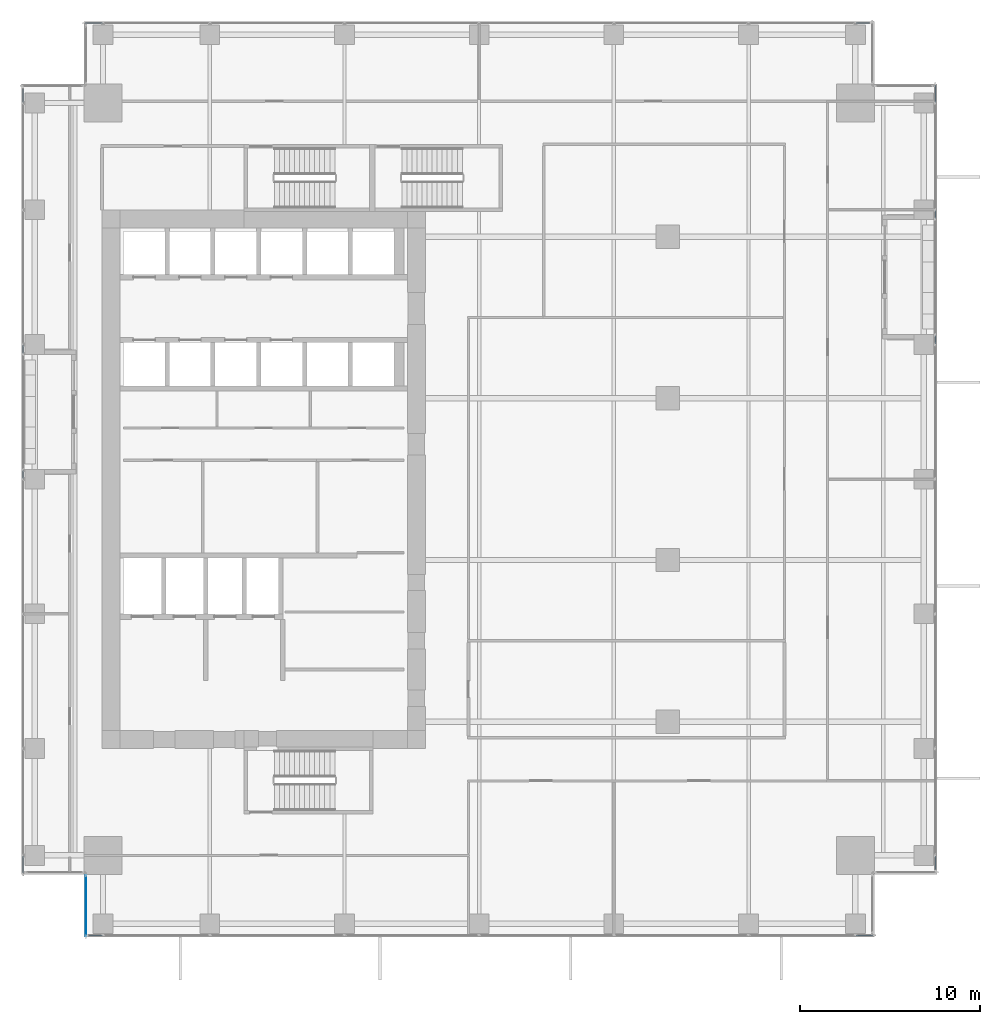
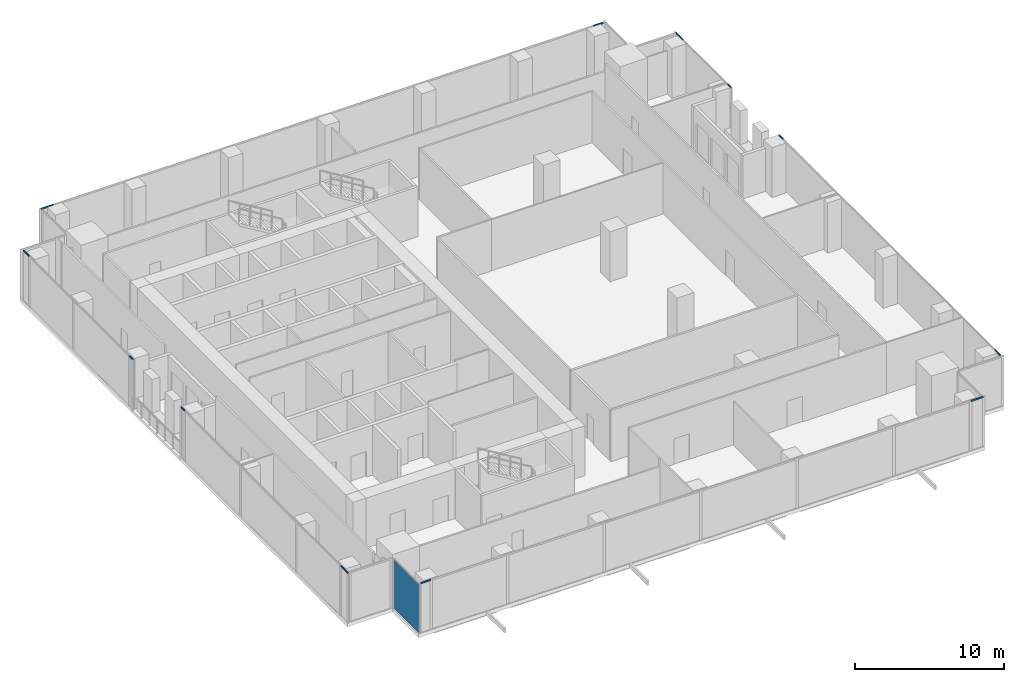
# One storey, part 23 of 35: 12 members, 1 plate, 7 elements without a shape of their own.
"""IFC4 building model written with IfcOpenShell, lengths in metres."""

import ifcopenshell
import ifcopenshell.guid

model = None  # the IFC model being written
_history = None  # IfcOwnerHistory: only IFC2X3 demands one
_inside = {}  # id of a spatial element -> (the spatial element, [elements in it])
_under = {}  # id of a project, library or spatial element -> (it, [spatial elements below it])
_declared = {}  # id of a project -> (the project, [libraries it declares])
_typed = {}  # id of a type object -> (the type object, [elements of that type])
_made_of = {}  # id of a material, layer set ... -> (it, [elements and type objects made of it])


def new_model(schema):
    """Start an empty IFC model of exactly this schema.

    Asked for "IFC4X3", IfcOpenShell would pick the latest addendum, in which some entities
    have other attributes; the version numbers below select the first issue.
    IFC2X3 requires an IfcOwnerHistory on every rooted entity: one is made here for all.
    """
    global model, _history
    if schema == "IFC4X3":
        model = ifcopenshell.file(schema_version=(4, 3, 0, 0))
    else:
        model = ifcopenshell.file(schema=schema)
    _inside.clear()
    _under.clear()
    _declared.clear()
    _typed.clear()
    _made_of.clear()
    _history = None
    if model.schema == "IFC2X3":
        org = make("IfcOrganization", Name="unknown")
        user = make(
            "IfcPersonAndOrganization",
            ThePerson=make("IfcPerson", FamilyName="unknown"),
            TheOrganization=org,
        )
        app = make(
            "IfcApplication",
            ApplicationDeveloper=org,
            Version="unknown",
            ApplicationFullName="unknown",
            ApplicationIdentifier="unknown",
        )
        _history = make(
            "IfcOwnerHistory",
            OwningUser=user,
            OwningApplication=app,
            ChangeAction="ADDED",
            CreationDate=0,
        )
    return model


def make(cls, **values):
    """One entity of the class cls with the attributes given. An attribute that is None is left unset."""
    return model.create_entity(
        cls, **{name: value for name, value in values.items() if value is not None}
    )


def rooted(cls, **values):
    """An entity with a GlobalId (a new one), such as an element, a storey or a relation."""
    return make(cls, GlobalId=ifcopenshell.guid.new(), OwnerHistory=_history, **values)


def si_unit(unit_type, name, prefix=None):
    """IfcSIUnit, for example si_unit("LENGTHUNIT", "METRE", prefix="MILLI")."""
    return make("IfcSIUnit", UnitType=unit_type, Prefix=prefix, Name=name)


def assignment(units):
    """IfcUnitAssignment: the units of a project."""
    return None if units is None else make("IfcUnitAssignment", Units=units)


def point(xyz):
    """IfcCartesianPoint."""
    return None if xyz is None else make("IfcCartesianPoint", Coordinates=xyz)


def direction(xyz):
    """IfcDirection."""
    return None if xyz is None else make("IfcDirection", DirectionRatios=xyz)


def frame(location, z_axis=None, x_axis=None):
    """IfcAxis2Placement3D, a coordinate frame: its origin and axes. An axis left out is left unset."""
    return make(
        "IfcAxis2Placement3D",
        Location=point(location),
        Axis=direction(z_axis),
        RefDirection=direction(x_axis),
    )


def frame_2d(location, x_axis=None):
    """IfcAxis2Placement2D, a coordinate frame in the plane: its origin and x axis."""
    return make(
        "IfcAxis2Placement2D", Location=point(location), RefDirection=direction(x_axis)
    )


def origin():
    """The frame at (0, 0, 0) with its axes left unset."""
    return frame((0.0, 0.0, 0.0))


def origin_2d():
    """The frame at (0, 0) in the plane with its x axis left unset."""
    return frame_2d((0.0, 0.0))


def place(relative_to, where):
    """IfcLocalPlacement: puts the frame where relative to a parent placement (None: the world)."""
    return make(
        "IfcLocalPlacement", PlacementRelTo=relative_to, RelativePlacement=where
    )


def context(
    kind, dimensions, precision=None, world=None, true_north=None, identifier=None
):
    """IfcGeometricRepresentationContext, for example the 3D "Model" context."""
    return make(
        "IfcGeometricRepresentationContext",
        ContextIdentifier=identifier,
        ContextType=kind,
        CoordinateSpaceDimension=dimensions,
        Precision=precision,
        WorldCoordinateSystem=world,
        TrueNorth=true_north,
    )


def subcontext(parent, identifier, kind, view, scale=None):
    """IfcGeometricRepresentationSubContext, for example "Body" below "Model"."""
    return make(
        "IfcGeometricRepresentationSubContext",
        ContextIdentifier=identifier,
        ContextType=kind,
        ParentContext=parent,
        TargetScale=scale,
        TargetView=view,
    )


def project(units=None, contexts=None):
    """IfcProject with its units and contexts."""
    return rooted(
        "IfcProject",
        Name="project",
        RepresentationContexts=contexts,
        UnitsInContext=assignment(units),
    )


def spatial(cls, under=None, at=None, **own):
    """A site, building, storey or space (cls), placed at a placement, below another one or the project."""
    s = rooted(cls, ObjectPlacement=at, **own)
    if under is not None:
        _under.setdefault(under.id(), (under, []))[1].append(s)
    return s


def profile(cls, at=None, kind="AREA", **sizes):
    """A parametric profile (cls). Its sizes go by their IFC names, for example OverallWidth=200.0."""
    return make(cls, ProfileType=kind, Position=at, **sizes)


def rectangle(**sizes):
    """IfcRectangleProfileDef."""
    return profile("IfcRectangleProfileDef", **sizes)


def hollow_rectangle(**sizes):
    """IfcRectangleHollowProfileDef."""
    return profile("IfcRectangleHollowProfileDef", **sizes)


def extrude(swept, where, along, depth):
    """IfcExtrudedAreaSolid: the profile swept, set in the frame where, extruded along a direction by depth."""
    return make(
        "IfcExtrudedAreaSolid",
        SweptArea=swept,
        Position=where,
        ExtrudedDirection=direction(along),
        Depth=depth,
    )


def shape(context_of_items, identifier, shape_type, items):
    """IfcShapeRepresentation: the items that make up one representation, for example the "Body"."""
    return make(
        "IfcShapeRepresentation",
        ContextOfItems=context_of_items,
        RepresentationIdentifier=identifier,
        RepresentationType=shape_type,
        Items=items,
    )


def source(mapping_origin, context_of_items, identifier, shape_type, items):
    """IfcRepresentationMap: a shape defined once, which mapped items show again and again."""
    return make(
        "IfcRepresentationMap",
        MappingOrigin=mapping_origin,
        MappedRepresentation=shape(context_of_items, identifier, shape_type, items),
    )


def transform(
    local_origin,
    x_axis=None,
    y_axis=None,
    z_axis=None,
    scale=None,
    scale2=None,
    scale3=None,
    uniform=True,
):
    """IfcCartesianTransformationOperator3D, or its non-uniform kind. x_axis, y_axis, z_axis: its Axis1, 2, 3."""
    if uniform:
        return make(
            "IfcCartesianTransformationOperator3D",
            Axis1=direction(x_axis),
            Axis2=direction(y_axis),
            LocalOrigin=point(local_origin),
            Scale=scale,
            Axis3=direction(z_axis),
        )
    return make(
        "IfcCartesianTransformationOperator3DnonUniform",
        Axis1=direction(x_axis),
        Axis2=direction(y_axis),
        LocalOrigin=point(local_origin),
        Scale=scale,
        Axis3=direction(z_axis),
        Scale2=scale2,
        Scale3=scale3,
    )


def mapped(mapping_source, mapping_target):
    """IfcMappedItem: shows the shape of a source again, moved by a transform."""
    return make(
        "IfcMappedItem", MappingSource=mapping_source, MappingTarget=mapping_target
    )


def material(Name=None, Category=None):
    """IfcMaterial."""
    return make("IfcMaterial", Name=Name, Category=Category)


def layer(
    of_material, thickness, ventilated=None, Name=None, Category=None, Priority=None
):
    """IfcMaterialLayer: one layer of a wall or slab, of a material (None: an air gap)."""
    return make(
        "IfcMaterialLayer",
        Material=of_material,
        LayerThickness=thickness,
        IsVentilated=ventilated,
        Name=Name,
        Category=Category,
        Priority=Priority,
    )


def layer_set(layers, Name=None):
    """IfcMaterialLayerSet."""
    return make("IfcMaterialLayerSet", MaterialLayers=layers, LayerSetName=Name)


def material_profile(
    of_material, cross_section, Name=None, Category=None, Priority=None
):
    """IfcMaterialProfile: a cross section and its material."""
    return make(
        "IfcMaterialProfile",
        Name=Name,
        Material=of_material,
        Profile=cross_section,
        Priority=Priority,
        Category=Category,
    )


def profile_set(profiles, Name=None, composite=None):
    """IfcMaterialProfileSet."""
    return make(
        "IfcMaterialProfileSet",
        Name=Name,
        MaterialProfiles=profiles,
        CompositeProfile=composite,
    )


def made_of(thing, what):
    """Note that an element or type object is made of a material, layer set ...; save() writes the relation."""
    if what is not None:
        _made_of.setdefault(what.id(), (what, []))[1].append(thing)
    return thing


def type_object(cls, material=None, **own):
    """A type object (cls), such as IfcWallType, which elements share."""
    return made_of(rooted(cls, **own), material)


def element(
    cls,
    number,
    at=None,
    inside=None,
    cuts=None,
    type_object=None,
    material=None,
    context=None,
    identifier="Body",
    shape_type=None,
    held_by="IfcProductDefinitionShape",
    body=None,
    shapes=None,
    **own,
):
    """One element of the class cls, such as IfcWall. Its Tag is "e" and its number.

    at: its placement. inside: the storey or other place that contains it. cuts: it is an
    opening in that element (IfcRelVoidsElement). A single representation is given by context,
    identifier, shape_type and body (its items); several are given by shapes. held_by: the class
    of the entity that holds the representations. save() writes the other relations.
    """
    e = rooted(cls, Tag="e%d" % number, ObjectPlacement=at, **own)
    if body is not None:
        shapes = [shape(context, identifier, shape_type, body)]
    if shapes is not None:
        e.Representation = make(held_by, Representations=shapes)
    if inside is not None:
        _inside.setdefault(inside.id(), (inside, []))[1].append(e)
    if cuts is not None:
        rooted(
            "IfcRelVoidsElement", RelatingBuildingElement=cuts, RelatedOpeningElement=e
        )
    if type_object is not None:
        _typed.setdefault(type_object.id(), (type_object, []))[1].append(e)
    return made_of(e, material)


def aggregate(whole, parts):
    """IfcRelAggregates: a whole, such as a stair, and the parts it consists of."""
    return rooted("IfcRelAggregates", RelatingObject=whole, RelatedObjects=parts)


def save(model, path):
    """Write the relations noted so far, then the file.

    IfcRelAggregates (storeys below a building ...), IfcRelContainedInSpatialStructure (elements
    in a storey), IfcRelDefinesByType, IfcRelAssociatesMaterial and IfcRelDeclares: one each for
    every whole, place, type object, material and project.
    """
    for whole, parts in _under.values():
        aggregate(whole, parts)
    for where, things in _inside.values():
        rooted(
            "IfcRelContainedInSpatialStructure",
            RelatedElements=things,
            RelatingStructure=where,
        )
    for kind, things in _typed.values():
        rooted("IfcRelDefinesByType", RelatedObjects=things, RelatingType=kind)
    for what, things in _made_of.values():
        rooted("IfcRelAssociatesMaterial", RelatedObjects=things, RelatingMaterial=what)
    for by, libraries in _declared.values():
        rooted("IfcRelDeclares", RelatingContext=by, RelatedDefinitions=libraries)
    model.write(path)


model = new_model("IFC4")

# Units and contexts
model_context = context("Model", 3, precision=1e-05, world=origin(), true_north=direction((0.0, 1.0)))
body_context = subcontext(model_context, "Body", "Model", "MODEL_VIEW")
ifc_project = project(units=[si_unit("LENGTHUNIT", "METRE"), si_unit("AREAUNIT", "SQUARE_METRE"), si_unit("VOLUMEUNIT", "CUBIC_METRE"), si_unit("PLANEANGLEUNIT", "RADIAN"), si_unit("MASSUNIT", "GRAM", prefix="KILO")], contexts=[model_context])

# Site, building, storey
site_placement = place(None, origin())
site = spatial("IfcSite", under=ifc_project, at=site_placement, CompositionType="ELEMENT")
building_placement = place(site_placement, origin())
building = spatial("IfcBuilding", under=site, at=building_placement, Name="Khomas Fold Tower", CompositionType="ELEMENT")
storey_placement = place(building_placement, frame((0.0, 0.0, 132.300048828125)))
storey = spatial("IfcBuildingStorey", under=building, at=storey_placement, Name="L28", CompositionType="ELEMENT", Elevation=132.300048828125)

# Curtain wall, member
ifc_material_1 = material(Name="Aluminium framed double glazing", Category="aluminium")
curtain_wall_type = type_object("IfcCurtainWallType", Name="SK-Unitised clear-glass wall, growing floors CW1", PredefinedType="NOTDEFINED", material=ifc_material_1)
curtain_wall_1_placement = place(storey_placement, origin())
curtain_wall_1 = element("IfcCurtainWall", 1, at=curtain_wall_1_placement, inside=storey, type_object=curtain_wall_type, Name="CW1 run L28 00-0", PredefinedType="NOTDEFINED")
ifc_material_2 = material(Name="Aluminium", Category="aluminium")
ifc_material_profile = material_profile(ifc_material_2, hollow_rectangle(XDim=0.06005859375, YDim=0.1201171875, WallThickness=0.00390625, at=origin_2d()), Name="SK-Unitised clear-glass wall, growing floors transom CW1-T")
ifc_profile_set = profile_set([ifc_material_profile], Name="Aluminium")
member_type = type_object("IfcMemberType", Name="SK-Unitised clear-glass wall, growing floors transom CW1-T", PredefinedType="USERDEFINED", material=ifc_profile_set)
shared_shape_1 = source(origin(), body_context, "Body", "SweptSolid", [
    extrude(hollow_rectangle(XDim=0.06005859375, YDim=0.1201171875, WallThickness=0.00390625, at=origin_2d()), origin(), (0.0, 0.0, 1.0), 0.760009765625),
])
member_1_placement = place(storey_placement, frame((5.260009765625, 1.60009765625, 4.0400390625), z_axis=(1.0, 0.0, 0.0), x_axis=(0.0, 1.0, 0.0)))
member_1 = element("IfcMember", 2, at=member_1_placement, type_object=member_type, Name="CW1 transom 1", ObjectType="TRANSOM", PredefinedType="USERDEFINED", context=body_context, shape_type="MappedRepresentation", body=[
    mapped(shared_shape_1, transform((0.0, 0.0, 0.0))),
])

curtain_wall_2_placement = place(storey_placement, origin())
curtain_wall_2 = element("IfcCurtainWall", 3, at=curtain_wall_2_placement, inside=storey, type_object=curtain_wall_type, Name="CW1 run L28 03-0", PredefinedType="NOTDEFINED")
member_2_placement = place(storey_placement, frame((52.39990234375, 5.260009765625, 4.0400390625), z_axis=(0.0, 1.0, 0.0), x_axis=(-1.0, 0.0, 0.0)))
member_2 = element("IfcMember", 4, at=member_2_placement, type_object=member_type, Name="CW1 transom 1", ObjectType="TRANSOM", PredefinedType="USERDEFINED", context=body_context, shape_type="MappedRepresentation", body=[
    mapped(shared_shape_1, transform((0.0, 0.0, 0.0))),
])

curtain_wall_3_placement = place(storey_placement, origin())
curtain_wall_3 = element("IfcCurtainWall", 5, at=curtain_wall_3_placement, inside=storey, type_object=curtain_wall_type, Name="CW1 run L28 06-0", PredefinedType="NOTDEFINED")
member_3_placement = place(storey_placement, frame((48.739990234375, 52.39990234375, 4.0400390625), z_axis=(-1.0, 0.0, 0.0), x_axis=(0.0, -1.0, 0.0)))
member_3 = element("IfcMember", 6, at=member_3_placement, type_object=member_type, Name="CW1 transom 1", ObjectType="TRANSOM", PredefinedType="USERDEFINED", context=body_context, shape_type="MappedRepresentation", body=[
    mapped(shared_shape_1, transform((0.0, 0.0, 0.0))),
])

curtain_wall_4_placement = place(storey_placement, origin())
curtain_wall_4 = element("IfcCurtainWall", 7, at=curtain_wall_4_placement, inside=storey, type_object=curtain_wall_type, Name="CW1 run L28 09-0", PredefinedType="NOTDEFINED")
member_4_placement = place(storey_placement, frame((1.60009765625, 48.739990234375, 4.0400390625), z_axis=(0.0, -1.0, 0.0), x_axis=(1.0, 0.0, 0.0)))
member_4 = element("IfcMember", 8, at=member_4_placement, type_object=member_type, Name="CW1 transom 1", ObjectType="TRANSOM", PredefinedType="USERDEFINED", context=body_context, shape_type="MappedRepresentation", body=[
    mapped(shared_shape_1, transform((0.0, 0.0, 0.0))),
])

# Member
shared_shape_2 = source(origin(), body_context, "Body", "SweptSolid", [
    extrude(hollow_rectangle(XDim=0.06005859375, YDim=0.1201171875, WallThickness=0.00390625, at=origin_2d()), origin(), (0.0, 0.0, 1.0), 0.9599609375),
])
member_5_placement = place(storey_placement, frame((47.97998046875, 1.60009765625, 4.0400390625), z_axis=(1.0, 0.0, 0.0), x_axis=(0.0, 1.0, 0.0)))
member_5 = element("IfcMember", 9, at=member_5_placement, type_object=member_type, Name="CW1 transom 8", ObjectType="TRANSOM", PredefinedType="USERDEFINED", context=body_context, shape_type="MappedRepresentation", body=[
    mapped(shared_shape_2, transform((0.0, 0.0, 0.0))),
])

aggregate(curtain_wall_1, [member_1, member_5])

# Curtain wall, member
curtain_wall_5_placement = place(storey_placement, origin())
curtain_wall_5 = element("IfcCurtainWall", 10, at=curtain_wall_5_placement, inside=storey, type_object=curtain_wall_type, Name="CW1 run L28 03-1", PredefinedType="NOTDEFINED")
member_6_placement = place(storey_placement, frame((52.39990234375, 47.97998046875, 4.0400390625), z_axis=(0.0, 1.0, 0.0), x_axis=(-1.0, 0.0, 0.0)))
member_6 = element("IfcMember", 11, at=member_6_placement, type_object=member_type, Name="CW1 transom 3", ObjectType="TRANSOM", PredefinedType="USERDEFINED", context=body_context, shape_type="MappedRepresentation", body=[
    mapped(shared_shape_2, transform((0.0, 0.0, 0.0))),
])

# Member
member_7_placement = place(storey_placement, frame((6.02001953125, 52.39990234375, 4.0400390625), z_axis=(-1.0, 0.0, 0.0), x_axis=(0.0, -1.0, 0.0)))
member_7 = element("IfcMember", 12, at=member_7_placement, type_object=member_type, Name="CW1 transom 8", ObjectType="TRANSOM", PredefinedType="USERDEFINED", context=body_context, shape_type="MappedRepresentation", body=[
    mapped(shared_shape_2, transform((0.0, 0.0, 0.0))),
])

aggregate(curtain_wall_3, [member_3, member_7])

# Curtain wall, member
curtain_wall_6_placement = place(storey_placement, origin())
curtain_wall_6 = element("IfcCurtainWall", 13, at=curtain_wall_6_placement, inside=storey, type_object=curtain_wall_type, Name="CW1 run L28 09-1", PredefinedType="NOTDEFINED")
member_8_placement = place(storey_placement, frame((1.60009765625, 6.02001953125, 4.0400390625), z_axis=(0.0, -1.0, 0.0), x_axis=(1.0, 0.0, 0.0)))
member_8 = element("IfcMember", 14, at=member_8_placement, type_object=member_type, Name="CW1 transom 5", ObjectType="TRANSOM", PredefinedType="USERDEFINED", context=body_context, shape_type="MappedRepresentation", body=[
    mapped(shared_shape_2, transform((0.0, 0.0, 0.0))),
])

# Member
shared_shape_3 = source(origin(), body_context, "Body", "SweptSolid", [
    extrude(hollow_rectangle(XDim=0.06005859375, YDim=0.1201171875, WallThickness=0.00390625, at=origin_2d()), origin(), (0.0, 0.0, 1.0), 0.4599609375),
])
member_9_placement = place(storey_placement, frame((52.39990234375, 34.530029296875, 4.0400390625), z_axis=(0.0, 1.0, 0.0), x_axis=(-1.0, 0.0, 0.0)))
member_9 = element("IfcMember", 15, at=member_9_placement, type_object=member_type, Name="CW1 transom 6", ObjectType="TRANSOM", PredefinedType="USERDEFINED", context=body_context, shape_type="MappedRepresentation", body=[
    mapped(shared_shape_3, transform((0.0, 0.0, 0.0))),
])

aggregate(curtain_wall_2, [member_2, member_9])

member_10_placement = place(storey_placement, frame((52.39990234375, 41.510009765625, 4.0400390625), z_axis=(0.0, 1.0, 0.0), x_axis=(-1.0, 0.0, 0.0)))
member_10 = element("IfcMember", 16, at=member_10_placement, type_object=member_type, Name="CW1 transom 1", ObjectType="TRANSOM", PredefinedType="USERDEFINED", context=body_context, shape_type="MappedRepresentation", body=[
    mapped(shared_shape_3, transform((0.0, 0.0, 0.0))),
])

aggregate(curtain_wall_5, [member_10, member_6])

member_11_placement = place(storey_placement, frame((1.60009765625, 34.469970703125, 4.0400390625), z_axis=(0.0, -1.0, 0.0), x_axis=(1.0, 0.0, 0.0)))
member_11 = element("IfcMember", 17, at=member_11_placement, type_object=member_type, Name="CW1 transom 4", ObjectType="TRANSOM", PredefinedType="USERDEFINED", context=body_context, shape_type="MappedRepresentation", body=[
    mapped(shared_shape_3, transform((0.0, 0.0, 0.0))),
])

aggregate(curtain_wall_4, [member_4, member_11])

member_12_placement = place(storey_placement, frame((1.60009765625, 27.489990234375, 4.0400390625), z_axis=(0.0, -1.0, 0.0), x_axis=(1.0, 0.0, 0.0)))
member_12 = element("IfcMember", 18, at=member_12_placement, type_object=member_type, Name="CW1 transom 1", ObjectType="TRANSOM", PredefinedType="USERDEFINED", context=body_context, shape_type="MappedRepresentation", body=[
    mapped(shared_shape_3, transform((0.0, 0.0, 0.0))),
])

aggregate(curtain_wall_6, [member_12, member_8])

# Curtain wall, plate
curtain_wall_7_placement = place(storey_placement, origin())
curtain_wall_7 = element("IfcCurtainWall", 19, at=curtain_wall_7_placement, inside=storey, type_object=curtain_wall_type, Name="CW1 corner return L28 11", PredefinedType="NOTDEFINED")
ifc_material_3 = material(Name="Clear double glazed unit")
ifc_layer = layer(ifc_material_3, 0.031982421875)
ifc_layer_set = layer_set([ifc_layer], Name="Clear double glazed unit")
plate_type = type_object("IfcPlateType", Name="SK-Unitised clear-glass wall, growing floors glass panel CW1-P", PredefinedType="CURTAIN_PANEL", material=ifc_layer_set)
shared_shape_4 = source(origin(), body_context, "Body", "SweptSolid", [
    extrude(rectangle(XDim=3.3798828125, YDim=0.031982421875, at=origin_2d()), origin(), (0.0, 0.0, 1.0), 3.97998046875),
])
plate_placement = place(storey_placement, frame((5.10009765625, 3.25, 0.0), z_axis=(0.0, 0.0, 1.0), x_axis=(0.0, -1.0, 0.0)))
plate = element("IfcPlate", 20, at=plate_placement, type_object=plate_type, Name="CW1 glass panel 1", PredefinedType="CURTAIN_PANEL", context=body_context, shape_type="MappedRepresentation", body=[
    mapped(shared_shape_4, transform((0.0, 0.0, 0.0))),
])
aggregate(curtain_wall_7, [plate])

save(model, "model.ifc")
